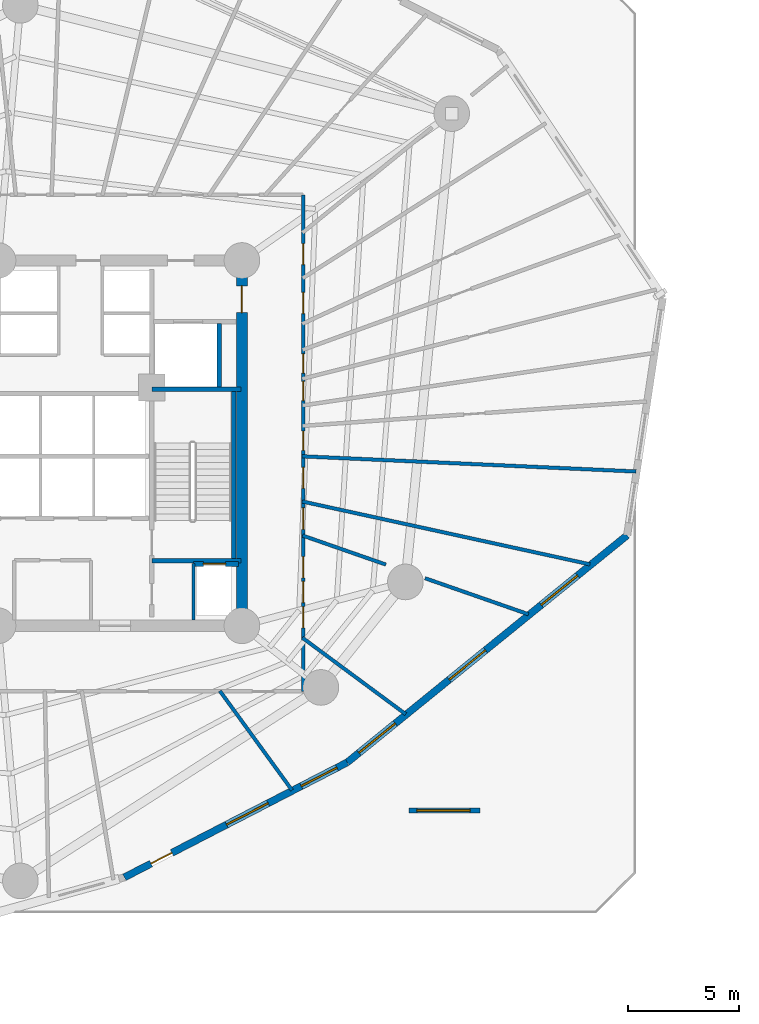
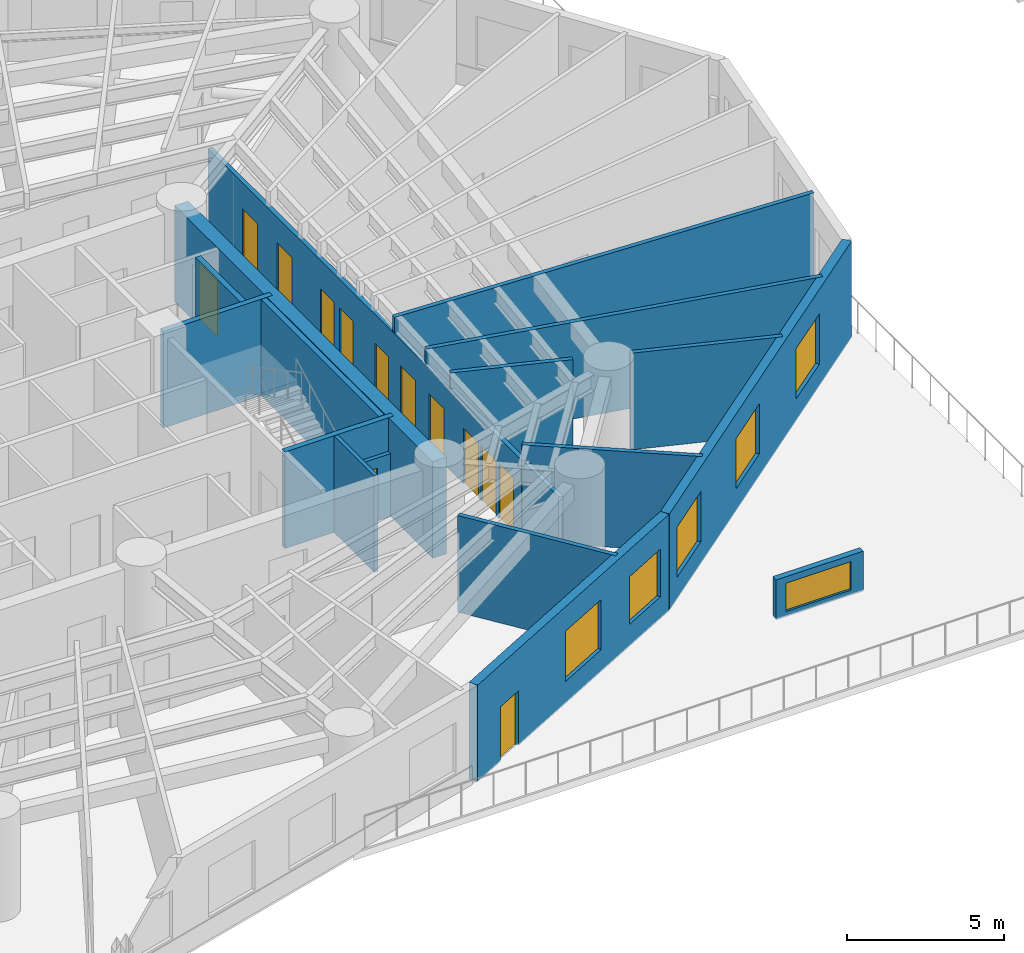
# One storey, part 9 of 16: 17 walls, 13 doors, 6 windows, 19 openings.
"""IFC4 building model written with IfcOpenShell, lengths in metres."""

import ifcopenshell
import ifcopenshell.guid

model = None  # the IFC model being written
_history = None  # IfcOwnerHistory: only IFC2X3 demands one
_inside = {}  # id of a spatial element -> (the spatial element, [elements in it])
_under = {}  # id of a project, library or spatial element -> (it, [spatial elements below it])
_declared = {}  # id of a project -> (the project, [libraries it declares])
_typed = {}  # id of a type object -> (the type object, [elements of that type])
_made_of = {}  # id of a material, layer set ... -> (it, [elements and type objects made of it])


def new_model(schema):
    """Start an empty IFC model of exactly this schema.

    Asked for "IFC4X3", IfcOpenShell would pick the latest addendum, in which some entities
    have other attributes; the version numbers below select the first issue.
    IFC2X3 requires an IfcOwnerHistory on every rooted entity: one is made here for all.
    """
    global model, _history
    if schema == "IFC4X3":
        model = ifcopenshell.file(schema_version=(4, 3, 0, 0))
    else:
        model = ifcopenshell.file(schema=schema)
    _inside.clear()
    _under.clear()
    _declared.clear()
    _typed.clear()
    _made_of.clear()
    _history = None
    if model.schema == "IFC2X3":
        org = make("IfcOrganization", Name="unknown")
        user = make(
            "IfcPersonAndOrganization",
            ThePerson=make("IfcPerson", FamilyName="unknown"),
            TheOrganization=org,
        )
        app = make(
            "IfcApplication",
            ApplicationDeveloper=org,
            Version="unknown",
            ApplicationFullName="unknown",
            ApplicationIdentifier="unknown",
        )
        _history = make(
            "IfcOwnerHistory",
            OwningUser=user,
            OwningApplication=app,
            ChangeAction="ADDED",
            CreationDate=0,
        )
    return model


def make(cls, **values):
    """One entity of the class cls with the attributes given. An attribute that is None is left unset."""
    return model.create_entity(
        cls, **{name: value for name, value in values.items() if value is not None}
    )


def rooted(cls, **values):
    """An entity with a GlobalId (a new one), such as an element, a storey or a relation."""
    return make(cls, GlobalId=ifcopenshell.guid.new(), OwnerHistory=_history, **values)


def si_unit(unit_type, name, prefix=None):
    """IfcSIUnit, for example si_unit("LENGTHUNIT", "METRE", prefix="MILLI")."""
    return make("IfcSIUnit", UnitType=unit_type, Prefix=prefix, Name=name)


def assignment(units):
    """IfcUnitAssignment: the units of a project."""
    return None if units is None else make("IfcUnitAssignment", Units=units)


def point(xyz):
    """IfcCartesianPoint."""
    return None if xyz is None else make("IfcCartesianPoint", Coordinates=xyz)


def direction(xyz):
    """IfcDirection."""
    return None if xyz is None else make("IfcDirection", DirectionRatios=xyz)


def frame(location, z_axis=None, x_axis=None):
    """IfcAxis2Placement3D, a coordinate frame: its origin and axes. An axis left out is left unset."""
    return make(
        "IfcAxis2Placement3D",
        Location=point(location),
        Axis=direction(z_axis),
        RefDirection=direction(x_axis),
    )


def frame_2d(location, x_axis=None):
    """IfcAxis2Placement2D, a coordinate frame in the plane: its origin and x axis."""
    return make(
        "IfcAxis2Placement2D", Location=point(location), RefDirection=direction(x_axis)
    )


def origin():
    """The frame at (0, 0, 0) with its axes left unset."""
    return frame((0.0, 0.0, 0.0))


def origin_with_axes():
    """The frame at (0, 0, 0) with the z axis (0, 0, 1) and the x axis (1, 0, 0) written out."""
    return frame((0.0, 0.0, 0.0), z_axis=(0.0, 0.0, 1.0), x_axis=(1.0, 0.0, 0.0))


def place(relative_to, where):
    """IfcLocalPlacement: puts the frame where relative to a parent placement (None: the world)."""
    return make(
        "IfcLocalPlacement", PlacementRelTo=relative_to, RelativePlacement=where
    )


def context(
    kind, dimensions, precision=None, world=None, true_north=None, identifier=None
):
    """IfcGeometricRepresentationContext, for example the 3D "Model" context."""
    return make(
        "IfcGeometricRepresentationContext",
        ContextIdentifier=identifier,
        ContextType=kind,
        CoordinateSpaceDimension=dimensions,
        Precision=precision,
        WorldCoordinateSystem=world,
        TrueNorth=true_north,
    )


def subcontext(parent, identifier, kind, view, scale=None):
    """IfcGeometricRepresentationSubContext, for example "Body" below "Model"."""
    return make(
        "IfcGeometricRepresentationSubContext",
        ContextIdentifier=identifier,
        ContextType=kind,
        ParentContext=parent,
        TargetScale=scale,
        TargetView=view,
    )


def project(units=None, contexts=None):
    """IfcProject with its units and contexts."""
    return rooted(
        "IfcProject",
        Name="project",
        RepresentationContexts=contexts,
        UnitsInContext=assignment(units),
    )


def spatial(cls, under=None, at=None, **own):
    """A site, building, storey or space (cls), placed at a placement, below another one or the project."""
    s = rooted(cls, ObjectPlacement=at, **own)
    if under is not None:
        _under.setdefault(under.id(), (under, []))[1].append(s)
    return s


def profile(cls, at=None, kind="AREA", **sizes):
    """A parametric profile (cls). Its sizes go by their IFC names, for example OverallWidth=200.0."""
    return make(cls, ProfileType=kind, Position=at, **sizes)


def rectangle(**sizes):
    """IfcRectangleProfileDef."""
    return profile("IfcRectangleProfileDef", **sizes)


def extrude(swept, where, along, depth):
    """IfcExtrudedAreaSolid: the profile swept, set in the frame where, extruded along a direction by depth."""
    return make(
        "IfcExtrudedAreaSolid",
        SweptArea=swept,
        Position=where,
        ExtrudedDirection=direction(along),
        Depth=depth,
    )


def shape(context_of_items, identifier, shape_type, items):
    """IfcShapeRepresentation: the items that make up one representation, for example the "Body"."""
    return make(
        "IfcShapeRepresentation",
        ContextOfItems=context_of_items,
        RepresentationIdentifier=identifier,
        RepresentationType=shape_type,
        Items=items,
    )


def source(mapping_origin, context_of_items, identifier, shape_type, items):
    """IfcRepresentationMap: a shape defined once, which mapped items show again and again."""
    return make(
        "IfcRepresentationMap",
        MappingOrigin=mapping_origin,
        MappedRepresentation=shape(context_of_items, identifier, shape_type, items),
    )


def transform(
    local_origin,
    x_axis=None,
    y_axis=None,
    z_axis=None,
    scale=None,
    scale2=None,
    scale3=None,
    uniform=True,
):
    """IfcCartesianTransformationOperator3D, or its non-uniform kind. x_axis, y_axis, z_axis: its Axis1, 2, 3."""
    if uniform:
        return make(
            "IfcCartesianTransformationOperator3D",
            Axis1=direction(x_axis),
            Axis2=direction(y_axis),
            LocalOrigin=point(local_origin),
            Scale=scale,
            Axis3=direction(z_axis),
        )
    return make(
        "IfcCartesianTransformationOperator3DnonUniform",
        Axis1=direction(x_axis),
        Axis2=direction(y_axis),
        LocalOrigin=point(local_origin),
        Scale=scale,
        Axis3=direction(z_axis),
        Scale2=scale2,
        Scale3=scale3,
    )


def mapped(mapping_source, mapping_target):
    """IfcMappedItem: shows the shape of a source again, moved by a transform."""
    return make(
        "IfcMappedItem", MappingSource=mapping_source, MappingTarget=mapping_target
    )


def material(Name=None, Category=None):
    """IfcMaterial."""
    return make("IfcMaterial", Name=Name, Category=Category)


def layer(
    of_material, thickness, ventilated=None, Name=None, Category=None, Priority=None
):
    """IfcMaterialLayer: one layer of a wall or slab, of a material (None: an air gap)."""
    return make(
        "IfcMaterialLayer",
        Material=of_material,
        LayerThickness=thickness,
        IsVentilated=ventilated,
        Name=Name,
        Category=Category,
        Priority=Priority,
    )


def layer_set(layers, Name=None):
    """IfcMaterialLayerSet."""
    return make("IfcMaterialLayerSet", MaterialLayers=layers, LayerSetName=Name)


def made_of(thing, what):
    """Note that an element or type object is made of a material, layer set ...; save() writes the relation."""
    if what is not None:
        _made_of.setdefault(what.id(), (what, []))[1].append(thing)
    return thing


def type_object(cls, material=None, **own):
    """A type object (cls), such as IfcWallType, which elements share."""
    return made_of(rooted(cls, **own), material)


def element(
    cls,
    number,
    at=None,
    inside=None,
    cuts=None,
    type_object=None,
    material=None,
    context=None,
    identifier="Body",
    shape_type=None,
    held_by="IfcProductDefinitionShape",
    body=None,
    shapes=None,
    **own,
):
    """One element of the class cls, such as IfcWall. Its Tag is "e" and its number.

    at: its placement. inside: the storey or other place that contains it. cuts: it is an
    opening in that element (IfcRelVoidsElement). A single representation is given by context,
    identifier, shape_type and body (its items); several are given by shapes. held_by: the class
    of the entity that holds the representations. save() writes the other relations.
    """
    e = rooted(cls, Tag="e%d" % number, ObjectPlacement=at, **own)
    if body is not None:
        shapes = [shape(context, identifier, shape_type, body)]
    if shapes is not None:
        e.Representation = make(held_by, Representations=shapes)
    if inside is not None:
        _inside.setdefault(inside.id(), (inside, []))[1].append(e)
    if cuts is not None:
        rooted(
            "IfcRelVoidsElement", RelatingBuildingElement=cuts, RelatedOpeningElement=e
        )
    if type_object is not None:
        _typed.setdefault(type_object.id(), (type_object, []))[1].append(e)
    return made_of(e, material)


def fill(opening, filler):
    """IfcRelFillsElement: the door or window that sits in an opening."""
    return rooted(
        "IfcRelFillsElement",
        RelatingOpeningElement=opening,
        RelatedBuildingElement=filler,
    )


def aggregate(whole, parts):
    """IfcRelAggregates: a whole, such as a stair, and the parts it consists of."""
    return rooted("IfcRelAggregates", RelatingObject=whole, RelatedObjects=parts)


def save(model, path):
    """Write the relations noted so far, then the file.

    IfcRelAggregates (storeys below a building ...), IfcRelContainedInSpatialStructure (elements
    in a storey), IfcRelDefinesByType, IfcRelAssociatesMaterial and IfcRelDeclares: one each for
    every whole, place, type object, material and project.
    """
    for whole, parts in _under.values():
        aggregate(whole, parts)
    for where, things in _inside.values():
        rooted(
            "IfcRelContainedInSpatialStructure",
            RelatedElements=things,
            RelatingStructure=where,
        )
    for kind, things in _typed.values():
        rooted("IfcRelDefinesByType", RelatedObjects=things, RelatingType=kind)
    for what, things in _made_of.values():
        rooted("IfcRelAssociatesMaterial", RelatedObjects=things, RelatingMaterial=what)
    for by, libraries in _declared.values():
        rooted("IfcRelDeclares", RelatingContext=by, RelatedDefinitions=libraries)
    model.write(path)


model = new_model("IFC4")

# Units and contexts
model_context = context("Model", 3, precision=1e-05, world=origin(), true_north=direction((0.0, 1.0)))
body_context = subcontext(model_context, "Body", "Model", "MODEL_VIEW")
ifc_project = project(units=[si_unit("LENGTHUNIT", "METRE"), si_unit("AREAUNIT", "SQUARE_METRE"), si_unit("VOLUMEUNIT", "CUBIC_METRE"), si_unit("PLANEANGLEUNIT", "RADIAN"), si_unit("MASSUNIT", "GRAM", prefix="KILO")], contexts=[model_context])

# Site, building, storey
site_placement = place(None, origin())
site = spatial("IfcSite", under=ifc_project, at=site_placement, CompositionType="ELEMENT")
building_placement = place(site_placement, origin())
building = spatial("IfcBuilding", under=site, at=building_placement, Name="Karkom Vertical University and Central Library", CompositionType="ELEMENT")
storey_placement = place(building_placement, frame((0.0, 0.0, 22.5)))
storey = spatial("IfcBuildingStorey", under=building, at=storey_placement, Name="L05", CompositionType="ELEMENT", Elevation=22.5)

# Wall, openings, door, windows
ifc_material_1 = material(Name="Brick-faced precast concrete C45/55", Category="masonry")
ifc_layer_1 = layer(ifc_material_1, 0.320068359375)
ifc_layer_set_1 = layer_set([ifc_layer_1], Name="Brick-faced precast concrete C45/55")
wall_type_1 = type_object("IfcWallType", Name="ENV-WL-BRK-320", PredefinedType="SOLIDWALL", material=ifc_layer_set_1)
wall_1_placement = place(storey_placement, frame((32.220947265625, 7.00341796875, 0.0), z_axis=(0.0, 0.0, 1.0), x_axis=(0.888779978747, 0.458334102352, 0.0)))
wall_1 = element("IfcWall", 1, at=wall_1_placement, inside=storey, type_object=wall_type_1, Name="Level 05 Brick-Faced Precast Facade Wall 06", PredefinedType="SOLIDWALL", context=body_context, shape_type="SweptSolid", body=[
    extrude(rectangle(XDim=11.258056640625, YDim=0.320068359375, at=frame_2d((5.62890625, 0.0))), origin(), (0.0, 0.0, 1.0), 3.75),
])
opening_1_placement = place(wall_1_placement, frame((5.164306640625, 0.0, 0.85009765625)))
opening_1 = element("IfcOpeningElement", 2, at=opening_1_placement, cuts=wall_1, Name="Opening WN-03", PredefinedType="OPENING", context=body_context, shape_type="SweptSolid", body=[
    extrude(rectangle(XDim=2.10009765625, YDim=1.949951171875, at=frame_2d((1.050048828125, 0.97509765625))), frame((0.0, 0.169921875, 0.0), z_axis=(0.0, -1.0, 0.0), x_axis=(1.0, 0.0, 0.0)), (0.0, 0.0, 1.0), 0.340087890625),
])
opening_2_placement = place(wall_1_placement, frame((8.9384765625, 0.0, 0.85009765625)))
opening_2 = element("IfcOpeningElement", 3, at=opening_2_placement, cuts=wall_1, Name="Opening WN-04", PredefinedType="OPENING", context=body_context, shape_type="SweptSolid", body=[
    extrude(rectangle(XDim=1.800048828125, YDim=1.85009765625, at=frame_2d((0.89990234375, 0.925048828125))), frame((0.0, 0.169921875, 0.0), z_axis=(0.0, -1.0, 0.0), x_axis=(1.0, 0.0, 0.0)), (0.0, 0.0, 1.0), 0.340087890625),
])
opening_3_placement = place(wall_1_placement, frame((1.351318359375, 0.0, 0.0)))
opening_3 = element("IfcOpeningElement", 4, at=opening_3_placement, cuts=wall_1, Name="Opening TD-1", PredefinedType="OPENING", context=body_context, shape_type="SweptSolid", body=[
    extrude(rectangle(XDim=1.050048828125, YDim=2.1201171875, at=frame_2d((0.52490234375, 1.06005859375))), frame((0.0, 0.169921875, 0.0), z_axis=(0.0, -1.0, 0.0), x_axis=(1.0, 0.0, 0.0)), (0.0, 0.0, 1.0), 0.340087890625),
])
ifc_material_2 = material(Name="Thermally broken glazed aluminium terrace door", Category="aluminium")
door_type_1 = type_object("IfcDoorType", Name="ENV-DR-TERR", OperationType="NOTDEFINED", PredefinedType="DOOR", material=ifc_material_2)
shared_shape_1 = source(origin_with_axes(), body_context, "Body", "SweptSolid", [
    extrude(rectangle(XDim=1.050048828125, YDim=2.1201171875, at=frame_2d((0.52490234375, 1.06005859375))), frame((0.0, 0.02490234375, 0.0), z_axis=(0.0, -1.0, 0.0), x_axis=(1.0, 0.0, 0.0)), (0.0, 0.0, 1.0), 0.050048828125),
])
door_1_placement = place(opening_3_placement, origin())
door_1 = element("IfcDoor", 5, at=door_1_placement, inside=storey, type_object=door_type_1, Name="Level 05 Outdoor Terrace Access Door", OperationType="SINGLE_SWING_RIGHT", OverallHeight=2.1201171875, OverallWidth=1.050048828125, PredefinedType="DOOR", context=body_context, shape_type="MappedRepresentation", body=[
    mapped(shared_shape_1, transform((0.0, 0.0, 0.0), scale=1.0)),
])
fill(opening_3, door_1)
ifc_material_3 = material(Name="Aluminium thermal-break frame with solar-control IGU", Category="aluminium")
window_type_1 = type_object("IfcWindowType", Name="ENV-WIN-WN-03", PartitioningType="SINGLE_PANEL", PredefinedType="WINDOW", material=ifc_material_3)
shared_shape_2 = source(origin_with_axes(), body_context, "Body", "SweptSolid", [
    extrude(rectangle(XDim=2.10009765625, YDim=1.949951171875, at=frame_2d((1.050048828125, 0.97509765625))), frame((0.0, 0.030029296875, 0.0), z_axis=(0.0, -1.0, 0.0), x_axis=(1.0, 0.0, 0.0)), (0.0, 0.0, 1.0), 0.06005859375),
])
window_1_placement = place(opening_1_placement, origin())
window_1 = element("IfcWindow", 6, at=window_1_placement, inside=storey, type_object=window_type_1, Name="Level 05 Punched Window 6.2", OverallHeight=1.949951171875, OverallWidth=2.10009765625, PartitioningType="SINGLE_PANEL", PredefinedType="WINDOW", context=body_context, shape_type="MappedRepresentation", body=[
    mapped(shared_shape_2, transform((0.0, 0.0, 0.0), scale=1.0)),
])
fill(opening_1, window_1)
window_type_2 = type_object("IfcWindowType", Name="ENV-WIN-WN-04", PartitioningType="SINGLE_PANEL", PredefinedType="WINDOW", material=ifc_material_3)
shared_shape_3 = source(origin_with_axes(), body_context, "Body", "SweptSolid", [
    extrude(rectangle(XDim=1.800048828125, YDim=1.85009765625, at=frame_2d((0.89990234375, 0.925048828125))), frame((0.0, 0.030029296875, 0.0), z_axis=(0.0, -1.0, 0.0), x_axis=(1.0, 0.0, 0.0)), (0.0, 0.0, 1.0), 0.06005859375),
])
window_2_placement = place(opening_2_placement, origin())
window_2 = element("IfcWindow", 7, at=window_2_placement, inside=storey, type_object=window_type_2, Name="Level 05 Punched Window 6.3", OverallHeight=1.85009765625, OverallWidth=1.800048828125, PartitioningType="SINGLE_PANEL", PredefinedType="WINDOW", context=body_context, shape_type="MappedRepresentation", body=[
    mapped(shared_shape_3, transform((0.0, 0.0, 0.0), scale=1.0)),
])
fill(opening_2, window_2)

# Wall, openings, windows
wall_2_placement = place(storey_placement, frame((42.226806640625, 12.163330078125, 0.0), z_axis=(0.0, 0.0, 1.0), x_axis=(0.776540545202, 0.630067283437, 0.0)))
wall_2 = element("IfcWall", 8, at=wall_2_placement, inside=storey, type_object=wall_type_1, Name="Level 05 Brick-Faced Precast Facade Wall 07", PredefinedType="SOLIDWALL", context=body_context, shape_type="SweptSolid", body=[
    extrude(rectangle(XDim=16.18798828125, YDim=0.320068359375, at=frame_2d((8.093994140625, 0.0))), origin(), (0.0, 0.0, 1.0), 3.75),
])
opening_4_placement = place(wall_2_placement, frame((0.677978515625, 0.0, 0.85009765625)))
opening_4 = element("IfcOpeningElement", 9, at=opening_4_placement, cuts=wall_2, Name="Opening WN-03", PredefinedType="OPENING", context=body_context, shape_type="SweptSolid", body=[
    extrude(rectangle(XDim=2.10009765625, YDim=1.949951171875, at=frame_2d((1.050048828125, 0.97509765625))), frame((0.0, 0.169921875, 0.0), z_axis=(0.0, -1.0, 0.0), x_axis=(1.0, 0.0, 0.0)), (0.0, 0.0, 1.0), 0.340087890625),
])
opening_5_placement = place(wall_2_placement, frame((5.8955078125, 0.0, 0.85009765625)))
opening_5 = element("IfcOpeningElement", 10, at=opening_5_placement, cuts=wall_2, Name="Opening WN-03", PredefinedType="OPENING", context=body_context, shape_type="SweptSolid", body=[
    extrude(rectangle(XDim=2.10009765625, YDim=1.949951171875, at=frame_2d((1.050048828125, 0.97509765625))), frame((0.0, 0.169921875, 0.0), z_axis=(0.0, -1.0, 0.0), x_axis=(1.0, 0.0, 0.0)), (0.0, 0.0, 1.0), 0.340087890625),
])
opening_6_placement = place(wall_2_placement, frame((11.220703125, 0.0, 0.85009765625)))
opening_6 = element("IfcOpeningElement", 11, at=opening_6_placement, cuts=wall_2, Name="Opening WN-03", PredefinedType="OPENING", context=body_context, shape_type="SweptSolid", body=[
    extrude(rectangle(XDim=2.10009765625, YDim=1.949951171875, at=frame_2d((1.050048828125, 0.97509765625))), frame((0.0, 0.169921875, 0.0), z_axis=(0.0, -1.0, 0.0), x_axis=(1.0, 0.0, 0.0)), (0.0, 0.0, 1.0), 0.340087890625),
])
window_3_placement = place(opening_4_placement, origin())
window_3 = element("IfcWindow", 12, at=window_3_placement, inside=storey, type_object=window_type_1, Name="Level 05 Punched Window 7.1", OverallHeight=1.949951171875, OverallWidth=2.10009765625, PartitioningType="SINGLE_PANEL", PredefinedType="WINDOW", context=body_context, shape_type="MappedRepresentation", body=[
    mapped(shared_shape_2, transform((0.0, 0.0, 0.0), scale=1.0)),
])
fill(opening_4, window_3)
window_4_placement = place(opening_5_placement, origin())
window_4 = element("IfcWindow", 13, at=window_4_placement, inside=storey, type_object=window_type_1, Name="Level 05 Punched Window 7.2", OverallHeight=1.949951171875, OverallWidth=2.10009765625, PartitioningType="SINGLE_PANEL", PredefinedType="WINDOW", context=body_context, shape_type="MappedRepresentation", body=[
    mapped(shared_shape_2, transform((0.0, 0.0, 0.0), scale=1.0)),
])
fill(opening_5, window_4)
window_5_placement = place(opening_6_placement, origin())
window_5 = element("IfcWindow", 14, at=window_5_placement, inside=storey, type_object=window_type_1, Name="Level 05 Punched Window 7.3", OverallHeight=1.949951171875, OverallWidth=2.10009765625, PartitioningType="SINGLE_PANEL", PredefinedType="WINDOW", context=body_context, shape_type="MappedRepresentation", body=[
    mapped(shared_shape_2, transform((0.0, 0.0, 0.0), scale=1.0)),
])
fill(opening_6, window_5)

# Wall, opening, window
ifc_material_4 = material(Name="Precast concrete C45/55", Category="concrete")
ifc_layer_2 = layer(ifc_material_4, 0.219970703125)
ifc_layer_set_2 = layer_set([ifc_layer_2], Name="Precast concrete C45/55")
wall_type_2 = type_object("IfcWallType", Name="ENV-WL-PAR-220", PredefinedType="PARAPET", material=ifc_layer_set_2)
wall_3_placement = place(storey_placement, frame((45.0, 10.0, 0.0), z_axis=(0.0, 0.0, 1.0), x_axis=(1.0, 0.0, 0.0)))
wall_3 = element("IfcWall", 15, at=wall_3_placement, inside=storey, type_object=wall_type_2, Name="Level 05 Daylight Monitor Clerestory Kerb SKYLIGHT-KERB-3", PredefinedType="PARAPET", context=body_context, shape_type="SweptSolid", body=[
    extrude(rectangle(XDim=3.199951171875, YDim=0.219970703125, at=frame_2d((1.60009765625, 0.0))), origin(), (0.0, 0.0, 1.0), 1.550048828125),
])
opening_7_placement = place(wall_3_placement, frame((0.35009765625, 0.0, 0.199951171875)))
opening_7 = element("IfcOpeningElement", 16, at=opening_7_placement, cuts=wall_3, Name="Opening SK-01", PredefinedType="OPENING", context=body_context, shape_type="SweptSolid", body=[
    extrude(rectangle(XDim=2.39990234375, YDim=1.10009765625, at=frame_2d((1.199951171875, 0.550048828125))), frame((0.0, 0.1201171875, 0.0), z_axis=(0.0, -1.0, 0.0), x_axis=(1.0, 0.0, 0.0)), (0.0, 0.0, 1.0), 0.239990234375),
])
window_type_3 = type_object("IfcWindowType", Name="ENV-WIN-SK-01", PartitioningType="SINGLE_PANEL", PredefinedType="SKYLIGHT", material=ifc_material_3)
shared_shape_4 = source(origin_with_axes(), body_context, "Body", "SweptSolid", [
    extrude(rectangle(XDim=2.39990234375, YDim=1.10009765625, at=frame_2d((1.199951171875, 0.550048828125))), frame((0.0, 0.030029296875, 0.0), z_axis=(0.0, -1.0, 0.0), x_axis=(1.0, 0.0, 0.0)), (0.0, 0.0, 1.0), 0.06005859375),
])
window_6_placement = place(opening_7_placement, origin())
window_6 = element("IfcWindow", 17, at=window_6_placement, inside=storey, type_object=window_type_3, Name="Level 05 Podium Studio Monitor Skylight SKYLIGHT-KERB-3", OverallHeight=1.10009765625, OverallWidth=2.39990234375, PartitioningType="SINGLE_PANEL", PredefinedType="SKYLIGHT", context=body_context, shape_type="MappedRepresentation", body=[
    mapped(shared_shape_4, transform((0.0, 0.0, 0.0), scale=1.0)),
])
fill(opening_7, window_6)

# Wall, openings, doors
ifc_material_5 = material(Name="Insulated metal-stud drywall 160mm", Category="gypsum")
ifc_layer_3 = layer(ifc_material_5, 0.159912109375)
ifc_layer_set_3 = layer_set([ifc_layer_3], Name="Insulated metal-stud drywall 160mm")
wall_type_3 = type_object("IfcWallType", Name="INT-WL-COR-160", PredefinedType="PARTITIONING", material=ifc_layer_set_3)
wall_4_placement = place(storey_placement, frame((40.25, 37.64990234375, 0.0), z_axis=(0.0, 0.0, 1.0), x_axis=(0.0, -1.0, 0.0)))
wall_4 = element("IfcWall", 18, at=wall_4_placement, inside=storey, type_object=wall_type_3, Name="Level 05 Interior Partition Wall Level 05-CORW-CW-004", PredefinedType="PARTITIONING", context=body_context, shape_type="SweptSolid", body=[
    extrude(rectangle(XDim=22.2998046875, YDim=0.159912109375, at=frame_2d((11.14990234375, 0.0))), origin(), (0.0, 0.0, 1.0), 3.14990234375),
])
opening_8_placement = place(wall_4_placement, frame((16.25, 0.0, 0.0)))
opening_8 = element("IfcOpeningElement", 19, at=opening_8_placement, cuts=wall_4, Name="Opening D-RM1", PredefinedType="OPENING", context=body_context, shape_type="SweptSolid", body=[
    extrude(rectangle(XDim=0.949951171875, YDim=2.14990234375, at=frame_2d((0.47509765625, 1.074951171875))), frame((0.0, 0.08984375, 0.0), z_axis=(0.0, -1.0, 0.0), x_axis=(1.0, 0.0, 0.0)), (0.0, 0.0, 1.0), 0.179931640625),
])
opening_9_placement = place(wall_4_placement, frame((14.06005859375, 0.0, 0.0)))
opening_9 = element("IfcOpeningElement", 20, at=opening_9_placement, cuts=wall_4, Name="Opening FD-RM2", PredefinedType="OPENING", context=body_context, shape_type="SweptSolid", body=[
    extrude(rectangle(XDim=0.9599609375, YDim=2.14990234375, at=frame_2d((0.47998046875, 1.074951171875))), frame((0.0, 0.08984375, 0.0), z_axis=(0.0, -1.0, 0.0), x_axis=(1.0, 0.0, 0.0)), (0.0, 0.0, 1.0), 0.179931640625),
])
opening_10_placement = place(wall_4_placement, frame((12.2353515625, 0.0, 0.0)))
opening_10 = element("IfcOpeningElement", 21, at=opening_10_placement, cuts=wall_4, Name="Opening D-RM1", PredefinedType="OPENING", context=body_context, shape_type="SweptSolid", body=[
    extrude(rectangle(XDim=0.949951171875, YDim=2.14990234375, at=frame_2d((0.47509765625, 1.074951171875))), frame((0.0, 0.08984375, 0.0), z_axis=(0.0, -1.0, 0.0), x_axis=(1.0, 0.0, 0.0)), (0.0, 0.0, 1.0), 0.179931640625),
])
opening_11_placement = place(wall_4_placement, frame((4.385009765625, 0.0, 0.0)))
opening_11 = element("IfcOpeningElement", 22, at=opening_11_placement, cuts=wall_4, Name="Opening D-RM1", PredefinedType="OPENING", context=body_context, shape_type="SweptSolid", body=[
    extrude(rectangle(XDim=0.949951171875, YDim=2.14990234375, at=frame_2d((0.47509765625, 1.074951171875))), frame((0.0, 0.08984375, 0.0), z_axis=(0.0, -1.0, 0.0), x_axis=(1.0, 0.0, 0.0)), (0.0, 0.0, 1.0), 0.179931640625),
])
opening_12_placement = place(wall_4_placement, frame((2.18994140625, 0.0, 0.0)))
opening_12 = element("IfcOpeningElement", 23, at=opening_12_placement, cuts=wall_4, Name="Opening D-RM1", PredefinedType="OPENING", context=body_context, shape_type="SweptSolid", body=[
    extrude(rectangle(XDim=0.949951171875, YDim=2.14990234375, at=frame_2d((0.47509765625, 1.074951171875))), frame((0.0, 0.08984375, 0.0), z_axis=(0.0, -1.0, 0.0), x_axis=(1.0, 0.0, 0.0)), (0.0, 0.0, 1.0), 0.179931640625),
])
opening_13_placement = place(wall_4_placement, frame((17.358154296875, 0.0, 0.0)))
opening_13 = element("IfcOpeningElement", 24, at=opening_13_placement, cuts=wall_4, Name="Opening D-RM1", PredefinedType="OPENING", context=body_context, shape_type="SweptSolid", body=[
    extrude(rectangle(XDim=0.949951171875, YDim=2.14990234375, at=frame_2d((0.47509765625, 1.074951171875))), frame((0.0, 0.08984375, 0.0), z_axis=(0.0, -1.0, 0.0), x_axis=(1.0, 0.0, 0.0)), (0.0, 0.0, 1.0), 0.179931640625),
])
opening_14_placement = place(wall_4_placement, frame((18.4892578125, 0.0, 0.0)))
opening_14 = element("IfcOpeningElement", 25, at=opening_14_placement, cuts=wall_4, Name="Opening D-RM1", PredefinedType="OPENING", context=body_context, shape_type="SweptSolid", body=[
    extrude(rectangle(XDim=0.949951171875, YDim=2.14990234375, at=frame_2d((0.47509765625, 1.074951171875))), frame((0.0, 0.08984375, 0.0), z_axis=(0.0, -1.0, 0.0), x_axis=(1.0, 0.0, 0.0)), (0.0, 0.0, 1.0), 0.179931640625),
])
opening_15_placement = place(wall_4_placement, frame((10.609619140625, 0.0, 0.0)))
opening_15 = element("IfcOpeningElement", 26, at=opening_15_placement, cuts=wall_4, Name="Opening FD-BTH2", PredefinedType="OPENING", context=body_context, shape_type="SweptSolid", body=[
    extrude(rectangle(XDim=0.860107421875, YDim=2.0400390625, at=frame_2d((0.43017578125, 1.02001953125))), frame((0.0, 0.08984375, 0.0), z_axis=(0.0, -1.0, 0.0), x_axis=(1.0, 0.0, 0.0)), (0.0, 0.0, 1.0), 0.179931640625),
])
opening_16_placement = place(wall_4_placement, frame((8.37841796875, 0.0, 0.0)))
opening_16 = element("IfcOpeningElement", 27, at=opening_16_placement, cuts=wall_4, Name="Opening FD-BTH2", PredefinedType="OPENING", context=body_context, shape_type="SweptSolid", body=[
    extrude(rectangle(XDim=0.860107421875, YDim=2.0400390625, at=frame_2d((0.43017578125, 1.02001953125))), frame((0.0, 0.08984375, 0.0), z_axis=(0.0, -1.0, 0.0), x_axis=(1.0, 0.0, 0.0)), (0.0, 0.0, 1.0), 0.179931640625),
])
opening_17_placement = place(wall_4_placement, frame((7.143798828125, 0.0, 0.0)))
opening_17 = element("IfcOpeningElement", 28, at=opening_17_placement, cuts=wall_4, Name="Opening FD-BTH2", PredefinedType="OPENING", context=body_context, shape_type="SweptSolid", body=[
    extrude(rectangle(XDim=0.860107421875, YDim=2.0400390625, at=frame_2d((0.43017578125, 1.02001953125))), frame((0.0, 0.08984375, 0.0), z_axis=(0.0, -1.0, 0.0), x_axis=(1.0, 0.0, 0.0)), (0.0, 0.0, 1.0), 0.179931640625),
])
ifc_material_6 = material(Name="Fire-rated oak veneer door", Category="wood")
door_type_2 = type_object("IfcDoorType", Name="INT-DR-FRM2", OperationType="NOTDEFINED", PredefinedType="DOOR", material=ifc_material_6)
shared_shape_5 = source(origin_with_axes(), body_context, "Body", "SweptSolid", [
    extrude(rectangle(XDim=0.9599609375, YDim=2.14990234375, at=frame_2d((0.47998046875, 1.074951171875))), frame((0.0, 0.02490234375, 0.0), z_axis=(0.0, -1.0, 0.0), x_axis=(1.0, 0.0, 0.0)), (0.0, 0.0, 1.0), 0.050048828125),
])
door_2_placement = place(opening_9_placement, origin())
door_2 = element("IfcDoor", 29, at=door_2_placement, inside=storey, type_object=door_type_2, Name="Level 05 Room Entry Door 120", OperationType="SINGLE_SWING_LEFT", OverallHeight=2.14990234375, OverallWidth=0.9599609375, PredefinedType="DOOR", context=body_context, shape_type="MappedRepresentation", body=[
    mapped(shared_shape_5, transform((0.0, 0.0, 0.0), scale=1.0)),
])
fill(opening_9, door_2)
ifc_material_7 = material(Name="Fire-rated moisture-resistant oak door", Category="wood")
door_type_3 = type_object("IfcDoorType", Name="INT-DR-FBTH2", OperationType="NOTDEFINED", PredefinedType="DOOR", material=ifc_material_7)
shared_shape_6 = source(origin_with_axes(), body_context, "Body", "SweptSolid", [
    extrude(rectangle(XDim=0.860107421875, YDim=2.0400390625, at=frame_2d((0.43017578125, 1.02001953125))), frame((0.0, 0.02490234375, 0.0), z_axis=(0.0, -1.0, 0.0), x_axis=(1.0, 0.0, 0.0)), (0.0, 0.0, 1.0), 0.050048828125),
])
door_3_placement = place(opening_15_placement, origin())
door_3 = element("IfcDoor", 30, at=door_3_placement, inside=storey, type_object=door_type_3, Name="Level 05 Faculty Consultation and Research Office Entry Door", OperationType="SINGLE_SWING_RIGHT", OverallHeight=2.0400390625, OverallWidth=0.860107421875, PredefinedType="DOOR", context=body_context, shape_type="MappedRepresentation", body=[
    mapped(shared_shape_6, transform((0.0, 0.0, 0.0), scale=1.0)),
])
fill(opening_15, door_3)
door_4_placement = place(opening_16_placement, origin())
door_4 = element("IfcDoor", 31, at=door_4_placement, inside=storey, type_object=door_type_3, Name="Level 05 Faculty Consultation and Research Office Entry Door", OperationType="SINGLE_SWING_LEFT", OverallHeight=2.0400390625, OverallWidth=0.860107421875, PredefinedType="DOOR", context=body_context, shape_type="MappedRepresentation", body=[
    mapped(shared_shape_6, transform((0.0, 0.0, 0.0), scale=1.0)),
])
fill(opening_16, door_4)
door_5_placement = place(opening_17_placement, origin())
door_5 = element("IfcDoor", 32, at=door_5_placement, inside=storey, type_object=door_type_3, Name="Level 05 Faculty Consultation and Research Office Entry Door", OperationType="SINGLE_SWING_RIGHT", OverallHeight=2.0400390625, OverallWidth=0.860107421875, PredefinedType="DOOR", context=body_context, shape_type="MappedRepresentation", body=[
    mapped(shared_shape_6, transform((0.0, 0.0, 0.0), scale=1.0)),
])
fill(opening_17, door_5)
ifc_material_8 = material(Name="Solid-core oak veneer door", Category="wood")
door_type_4 = type_object("IfcDoorType", Name="INT-DR-RM1", OperationType="NOTDEFINED", PredefinedType="DOOR", material=ifc_material_8)
shared_shape_7 = source(origin_with_axes(), body_context, "Body", "SweptSolid", [
    extrude(rectangle(XDim=0.949951171875, YDim=2.14990234375, at=frame_2d((0.47509765625, 1.074951171875))), frame((0.0, 0.02490234375, 0.0), z_axis=(0.0, -1.0, 0.0), x_axis=(1.0, 0.0, 0.0)), (0.0, 0.0, 1.0), 0.050048828125),
])
door_6_placement = place(opening_8_placement, origin())
door_6 = element("IfcDoor", 33, at=door_6_placement, inside=storey, type_object=door_type_4, Name="Level 05 Room Entry Door 110", OperationType="SINGLE_SWING_RIGHT", OverallHeight=2.14990234375, OverallWidth=0.949951171875, PredefinedType="DOOR", context=body_context, shape_type="MappedRepresentation", body=[
    mapped(shared_shape_7, transform((0.0, 0.0, 0.0), scale=1.0)),
])
fill(opening_8, door_6)
door_7_placement = place(opening_10_placement, origin())
door_7 = element("IfcDoor", 34, at=door_7_placement, inside=storey, type_object=door_type_4, Name="Level 05 Room Entry Door 130", OperationType="SINGLE_SWING_RIGHT", OverallHeight=2.14990234375, OverallWidth=0.949951171875, PredefinedType="DOOR", context=body_context, shape_type="MappedRepresentation", body=[
    mapped(shared_shape_7, transform((0.0, 0.0, 0.0), scale=1.0)),
])
fill(opening_10, door_7)
door_8_placement = place(opening_11_placement, origin())
door_8 = element("IfcDoor", 35, at=door_8_placement, inside=storey, type_object=door_type_4, Name="Level 05 Room Entry Door 140", OperationType="SINGLE_SWING_LEFT", OverallHeight=2.14990234375, OverallWidth=0.949951171875, PredefinedType="DOOR", context=body_context, shape_type="MappedRepresentation", body=[
    mapped(shared_shape_7, transform((0.0, 0.0, 0.0), scale=1.0)),
])
fill(opening_11, door_8)
door_9_placement = place(opening_12_placement, origin())
door_9 = element("IfcDoor", 36, at=door_9_placement, inside=storey, type_object=door_type_4, Name="Level 05 Room Entry Door 170", OperationType="SINGLE_SWING_RIGHT", OverallHeight=2.14990234375, OverallWidth=0.949951171875, PredefinedType="DOOR", context=body_context, shape_type="MappedRepresentation", body=[
    mapped(shared_shape_7, transform((0.0, 0.0, 0.0), scale=1.0)),
])
fill(opening_12, door_9)
door_10_placement = place(opening_13_placement, origin())
door_10 = element("IfcDoor", 37, at=door_10_placement, inside=storey, type_object=door_type_4, Name="Level 05 Room Entry Door 190", OperationType="SINGLE_SWING_LEFT", OverallHeight=2.14990234375, OverallWidth=0.949951171875, PredefinedType="DOOR", context=body_context, shape_type="MappedRepresentation", body=[
    mapped(shared_shape_7, transform((0.0, 0.0, 0.0), scale=1.0)),
])
fill(opening_13, door_10)
door_11_placement = place(opening_14_placement, origin())
door_11 = element("IfcDoor", 38, at=door_11_placement, inside=storey, type_object=door_type_4, Name="Level 05 Room Entry Door 200", OperationType="SINGLE_SWING_RIGHT", OverallHeight=2.14990234375, OverallWidth=0.949951171875, PredefinedType="DOOR", context=body_context, shape_type="MappedRepresentation", body=[
    mapped(shared_shape_7, transform((0.0, 0.0, 0.0), scale=1.0)),
])
fill(opening_14, door_11)

# Walls
wall_5_placement = place(storey_placement, frame((40.205078125, 25.908203125, 0.0), z_axis=(0.0, 0.0, 1.0), x_axis=(0.998969512327, -0.045386269292, 0.0)))
element("IfcWall", 39, at=wall_5_placement, inside=storey, type_object=wall_type_3, Name="Level 05 Interior Partition Wall Level 05-PW-017", PredefinedType="PARTITIONING", context=body_context, shape_type="SweptSolid", body=[
    extrude(rectangle(XDim=15.01318359375, YDim=0.159912109375, at=frame_2d((7.506591796875, 0.0))), origin(), (0.0, 0.0, 1.0), 3.75),
])
wall_6_placement = place(storey_placement, frame((40.2060546875, 23.881103515625, 0.0), z_axis=(0.0, 0.0, 1.0), x_axis=(0.976950568719, -0.213465655972, 0.0)))
element("IfcWall", 40, at=wall_6_placement, inside=storey, type_object=wall_type_3, Name="Level 05 Interior Partition Wall Level 05-PW-016", PredefinedType="PARTITIONING", context=body_context, shape_type="SweptSolid", body=[
    extrude(rectangle(XDim=13.225830078125, YDim=0.159912109375, at=frame_2d((6.61279296875, 0.0))), origin(), (0.0, 0.0, 1.0), 3.75),
])
wall_7_placement = place(storey_placement, frame((40.2138671875, 17.76123046875, 0.0), z_axis=(0.0, 0.0, 1.0), x_axis=(0.803997629738, -0.59463250111, 0.0)))
element("IfcWall", 41, at=wall_7_placement, inside=storey, type_object=wall_type_3, Name="Level 05 Interior Partition Wall Level 05-PW-013", PredefinedType="PARTITIONING", context=body_context, shape_type="SweptSolid", body=[
    extrude(rectangle(XDim=5.77099609375, YDim=0.159912109375, at=frame_2d((2.885498046875, 0.0))), origin(), (0.0, 0.0, 1.0), 3.75),
])
wall_8_placement = place(storey_placement, frame((36.509765625, 15.374267578125, 0.0), z_axis=(0.0, 0.0, 1.0), x_axis=(0.587834553636, -0.808981172557, 0.0)))
element("IfcWall", 42, at=wall_8_placement, inside=storey, type_object=wall_type_3, Name="Level 05 Interior Partition Wall Level 05-PW-012", PredefinedType="PARTITIONING", context=body_context, shape_type="SweptSolid", body=[
    extrude(rectangle(XDim=5.51220703125, YDim=0.159912109375, at=frame_2d((2.756103515625, 0.0))), origin(), (0.0, 0.0, 1.0), 3.75),
])
wall_9_placement = place(storey_placement, frame((45.720947265625, 20.434326171875, 0.0), z_axis=(0.0, 0.0, 1.0), x_axis=(0.944295205847, -0.329099626578, 0.0)))
element("IfcWall", 43, at=wall_9_placement, inside=storey, type_object=wall_type_3, Name="Level 05 Interior Partition Wall Level 05-PW-015", PredefinedType="PARTITIONING", context=body_context, shape_type="SweptSolid", body=[
    extrude(rectangle(XDim=4.922119140625, YDim=0.159912109375, at=frame_2d((2.4609375, 0.0))), origin(), (0.0, 0.0, 1.0), 3.75),
])
wall_10_placement = place(storey_placement, frame((40.2216796875, 22.35107421875, 0.0), z_axis=(0.0, 0.0, 1.0), x_axis=(0.944292001394, -0.329108821066, 0.0)))
element("IfcWall", 44, at=wall_10_placement, inside=storey, type_object=wall_type_3, Name="Level 05 Interior Partition Wall Level 05-PW-014", PredefinedType="PARTITIONING", context=body_context, shape_type="SweptSolid", body=[
    extrude(rectangle(XDim=3.9599609375, YDim=0.159912109375, at=frame_2d((1.97998046875, 0.0))), origin(), (0.0, 0.0, 1.0), 3.75),
])
ifc_material_9 = material(Name="Metal-stud gypsum partition 140mm", Category="gypsum")
ifc_layer_4 = layer(ifc_material_9, 0.139892578125)
ifc_layer_set_4 = layer_set([ifc_layer_4], Name="Metal-stud gypsum partition 140mm")
wall_type_4 = type_object("IfcWallType", Name="INT-WL-SUB-140H", PredefinedType="PARTITIONING", material=ifc_layer_set_4)
wall_11_placement = place(storey_placement, frame((35.320068359375, 18.556884765625, 0.0), z_axis=(0.0, 0.0, 1.0), x_axis=(0.0, 1.0, 0.0)))
element("IfcWall", 45, at=wall_11_placement, inside=storey, type_object=wall_type_4, Name="Level 05 Interior Partition Wall Level 05-CW-RIS-E", PredefinedType="PARTITIONING", context=body_context, shape_type="SweptSolid", body=[
    extrude(rectangle(XDim=2.541015625, YDim=0.139892578125, at=frame_2d((1.2705078125, 0.0))), origin(), (0.0, 0.0, 1.0), 3.75),
])

# Wall, opening, door
ifc_material_10 = material(Name="Concrete C45/55", Category="concrete")
ifc_layer_5 = layer(ifc_material_10, 0.219970703125)
ifc_layer_set_5 = layer_set([ifc_layer_5], Name="Concrete C45/55")
wall_type_5 = type_object("IfcWallType", Name="STR-WL-CW-220", PredefinedType="SHEAR", material=ifc_layer_set_5)
wall_12_placement = place(storey_placement, frame((35.320068359375, 21.080078125, 0.0), z_axis=(0.0, 0.0, 1.0), x_axis=(1.0, 0.0, 0.0)))
wall_12 = element("IfcWall", 46, at=wall_12_placement, inside=storey, type_object=wall_type_5, Name="Level 05 Duct Riser Access Wall 6", PredefinedType="SHEAR", context=body_context, shape_type="SweptSolid", body=[
    extrude(rectangle(XDim=2.030029296875, YDim=0.219970703125, at=frame_2d((1.01513671875, 0.0))), origin(), (0.0, 0.0, 1.0), 2.449951171875),
])
opening_18_placement = place(wall_12_placement, frame((0.449951171875, 0.0, 0.0)))
opening_18 = element("IfcOpeningElement", 47, at=opening_18_placement, cuts=wall_12, Name="Opening HD-1", PredefinedType="OPENING", context=body_context, shape_type="SweptSolid", body=[
    extrude(rectangle(XDim=1.0, YDim=2.050048828125, at=frame_2d((0.5, 1.02490234375))), frame((0.0, 0.1201171875, 0.0), z_axis=(0.0, -1.0, 0.0), x_axis=(1.0, 0.0, 0.0)), (0.0, 0.0, 1.0), 0.239990234375),
])
ifc_material_11 = material(Name="Insulated aluminium riser access door", Category="aluminium")
door_type_5 = type_object("IfcDoorType", Name="ENV-DR-HTCH", OperationType="SINGLE_SWING_LEFT", PredefinedType="TRAPDOOR", material=ifc_material_11)
shared_shape_8 = source(origin_with_axes(), body_context, "Body", "SweptSolid", [
    extrude(rectangle(XDim=1.0, YDim=2.050048828125, at=frame_2d((0.5, 1.02490234375))), frame((0.0, 0.02490234375, 0.0), z_axis=(0.0, -1.0, 0.0), x_axis=(1.0, 0.0, 0.0)), (0.0, 0.0, 1.0), 0.050048828125),
])
door_12_placement = place(opening_18_placement, origin())
door_12 = element("IfcDoor", 48, at=door_12_placement, inside=storey, type_object=door_type_5, Name="Level 05 Maintenance Riser Access Hatch Door 6", OperationType="SINGLE_SWING_RIGHT", OverallHeight=2.050048828125, OverallWidth=1.0, PredefinedType="TRAPDOOR", context=body_context, shape_type="MappedRepresentation", body=[
    mapped(shared_shape_8, transform((0.0, 0.0, 0.0), scale=1.0)),
])
fill(opening_18, door_12)

ifc_material_12 = material(Name="Concrete C50/60", Category="concrete")
ifc_layer_6 = layer(ifc_material_12, 0.5)
ifc_layer_set_6 = layer_set([ifc_layer_6], Name="Concrete C50/60")
wall_type_6 = type_object("IfcWallType", Name="STR-WL-CW-500", PredefinedType="SHEAR", material=ifc_layer_set_6)
wall_13_placement = place(storey_placement, frame((37.5, 18.300048828125, 0.0), z_axis=(0.0, 0.0, 1.0), x_axis=(0.0, 1.0, 0.0)))
wall_13 = element("IfcWall", 49, at=wall_13_placement, inside=storey, type_object=wall_type_6, Name="Level 05 Central Core Shear Wall EW", PredefinedType="SHEAR", context=body_context, shape_type="SweptSolid", body=[
    extrude(rectangle(XDim=16.39990234375, YDim=0.5, at=frame_2d((8.199951171875, 0.0))), origin(), (0.0, 0.0, 1.0), 3.75),
])
opening_19_placement = place(wall_13_placement, frame((14.06005859375, 0.0, 0.0)))
opening_19 = element("IfcOpeningElement", 50, at=opening_19_placement, cuts=wall_13, Name="Opening FD-SUB1", PredefinedType="OPENING", context=body_context, shape_type="SweptSolid", body=[
    extrude(rectangle(XDim=1.199951171875, YDim=2.14990234375, at=frame_2d((0.60009765625, 1.074951171875))), frame((0.0, 0.260009765625, 0.0), z_axis=(0.0, -1.0, 0.0), x_axis=(1.0, 0.0, 0.0)), (0.0, 0.0, 1.0), 0.52001953125),
])
ifc_material_13 = material(Name="Painted steel fire door", Category="steel")
door_type_6 = type_object("IfcDoorType", Name="INT-DR-SUB1", OperationType="NOTDEFINED", PredefinedType="DOOR", material=ifc_material_13)
shared_shape_9 = source(origin_with_axes(), body_context, "Body", "SweptSolid", [
    extrude(rectangle(XDim=1.199951171875, YDim=2.14990234375, at=frame_2d((0.60009765625, 1.074951171875))), frame((0.0, 0.02490234375, 0.0), z_axis=(0.0, -1.0, 0.0), x_axis=(1.0, 0.0, 0.0)), (0.0, 0.0, 1.0), 0.050048828125),
])
door_13_placement = place(opening_19_placement, origin())
door_13 = element("IfcDoor", 51, at=door_13_placement, inside=storey, type_object=door_type_6, Name="Level 05 East Corridor Service Lobby Door", OperationType="SINGLE_SWING_LEFT", OverallHeight=2.14990234375, OverallWidth=1.199951171875, PredefinedType="DOOR", context=body_context, shape_type="MappedRepresentation", body=[
    mapped(shared_shape_9, transform((0.0, 0.0, 0.0), scale=1.0)),
])
fill(opening_19, door_13)

# Walls
ifc_layer_7 = layer(ifc_material_10, 0.199951171875)
ifc_layer_set_7 = layer_set([ifc_layer_7], Name="Concrete C45/55")
wall_type_7 = type_object("IfcWallType", Name="STR-WL-ST-200", PredefinedType="SHEAR", material=ifc_layer_set_7)
wall_14_placement = place(storey_placement, frame((37.125, 21.320068359375, 0.0), z_axis=(0.0, 0.0, 1.0), x_axis=(0.0, 1.0, 0.0)))
element("IfcWall", 52, at=wall_14_placement, inside=storey, type_object=wall_type_7, Name="Level 05 Core Shaft Wall Level 05-CW-ST2-E", PredefinedType="SHEAR", context=body_context, shape_type="SweptSolid", body=[
    extrude(rectangle(XDim=7.5, YDim=0.199951171875, at=frame_2d((3.75, 0.0))), origin(), (0.0, 0.0, 1.0), 3.75),
])
for number, where, z_axis, x_axis, name in (
    (53, (33.455078125, 21.215087890625, 0.0), (0.0, 0.0, 1.0), (1.0, 0.0, 0.0), "Level 05 Core Shaft Wall Level 05-CW-ST2-S"),
    (54, (33.455078125, 28.925048828125, 0.0), (0.0, 0.0, 1.0), (1.0, 0.0, 0.0), "Level 05 Core Shaft Wall Level 05-CW-ST2-N"),
):
    element("IfcWall", number, at=place(storey_placement, frame(where, z_axis=z_axis, x_axis=x_axis)), inside=storey, type_object=wall_type_7, Name=name, PredefinedType="SHEAR", context=body_context, shape_type="SweptSolid", body=[
        extrude(rectangle(XDim=3.994873046875, YDim=0.199951171875, at=frame_2d((1.99755859375, 0.0))), origin(), (0.0, 0.0, 1.0), 3.75),
    ])
wall_15_placement = place(storey_placement, frame((36.47998046875, 29.02001953125, 0.0), z_axis=(0.0, 0.0, 1.0), x_axis=(0.0, 1.0, 0.0)))
element("IfcWall", 55, at=wall_15_placement, inside=storey, type_object=wall_type_7, Name="Level 05 Core Shaft Wall Level 05-CW-SVL-E", PredefinedType="SHEAR", context=body_context, shape_type="SweptSolid", body=[
    extrude(rectangle(XDim=2.85986328125, YDim=0.199951171875, at=frame_2d((1.429931640625, 0.0))), origin(), (0.0, 0.0, 1.0), 3.75),
])

save(model, "model.ifc")
